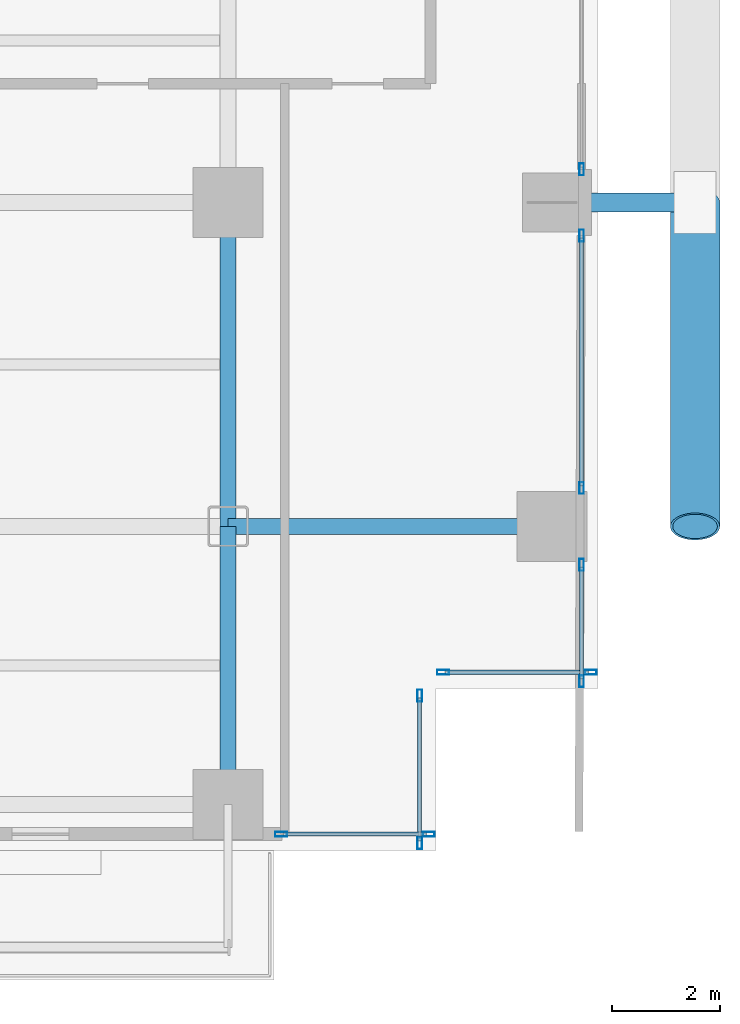
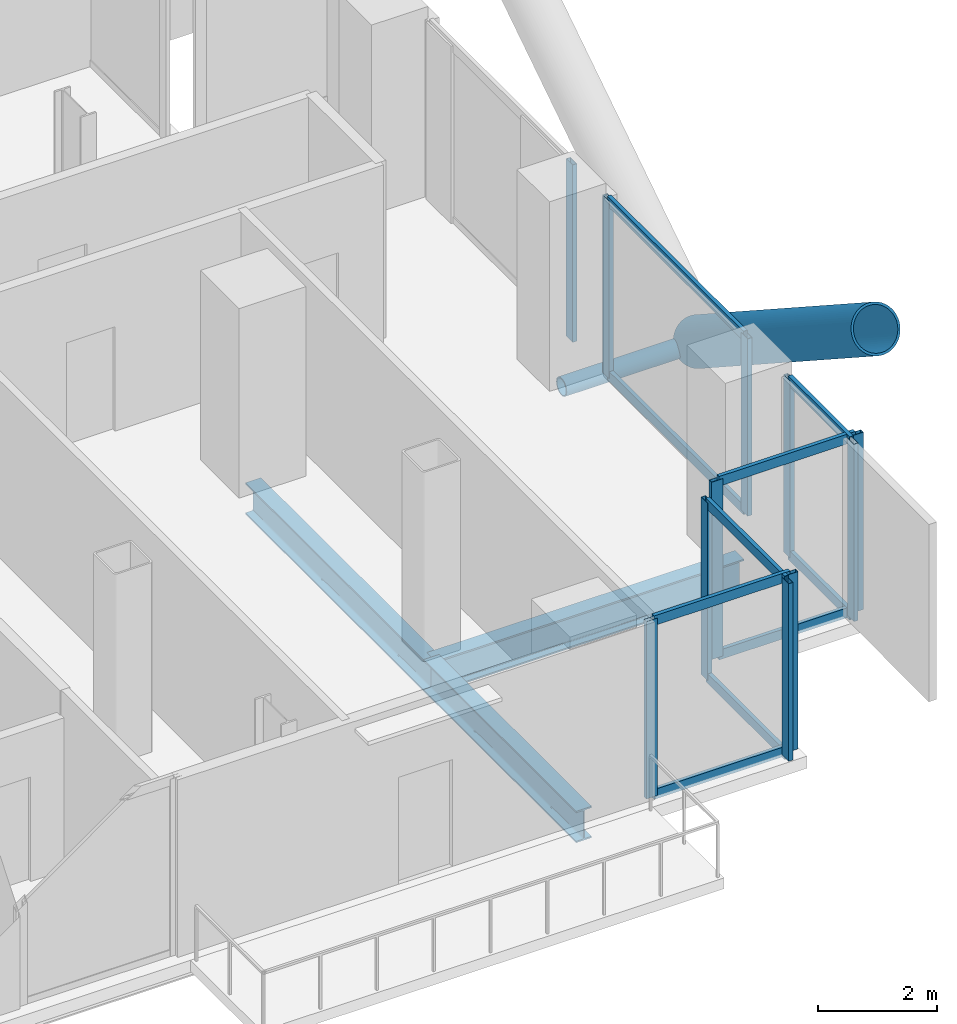
# One storey, part 10 of 27: 23 members, 3 beams, 6 elements without a shape of their own.
"""IFC4 building model written with IfcOpenShell, lengths in metres."""

from ifc_helpers import new_model, si_unit, direction, frame, origin, origin_2d, place, context, subcontext, project, spatial, hollow_rectangle, hollow_circle, i_section, extrude, material, layer, layer_set, material_profile, profile_set, type_object, element, aggregate, save


model = new_model("IFC4")

# Units and contexts
model_context = context("Model", 3, precision=1e-05, world=origin(), true_north=direction((0.0, 1.0)))
body_context = subcontext(model_context, "Body", "Model", "MODEL_VIEW")
ifc_project = project(units=[si_unit("LENGTHUNIT", "METRE"), si_unit("AREAUNIT", "SQUARE_METRE"), si_unit("VOLUMEUNIT", "CUBIC_METRE"), si_unit("PLANEANGLEUNIT", "RADIAN"), si_unit("MASSUNIT", "GRAM", prefix="KILO"), si_unit("THERMODYNAMICTEMPERATUREUNIT", "KELVIN"), si_unit("POWERUNIT", "WATT")], contexts=[model_context])

# Site, building, storey
site_placement = place(None, origin())
site = spatial("IfcSite", under=ifc_project, at=site_placement, CompositionType="ELEMENT")
building_placement = place(site_placement, origin())
building = spatial("IfcBuilding", under=site, at=building_placement, Name="Svarakhadi Broadcast Tower", CompositionType="ELEMENT")
storey_placement = place(building_placement, frame((0.0, 0.0, 59.699951171875)))
storey = spatial("IfcBuildingStorey", under=building, at=storey_placement, Name="L13", CompositionType="ELEMENT", Elevation=59.699951171875)

# Curtain wall, member
ifc_material_1 = material(Name="Anodised Bronze Aluminium AA 6063-T6", Category="aluminium")
ifc_layer = layer(ifc_material_1, 0.219970703125)
ifc_layer_set = layer_set([ifc_layer], Name="Anodised Bronze Aluminium AA 6063-T6")
curtain_wall_type = type_object("IfcCurtainWallType", Name="CW_Sys_02", PredefinedType="NOTDEFINED", material=ifc_layer_set)
curtain_wall_1_placement = place(storey_placement, origin())
curtain_wall_1 = element("IfcCurtainWall", 1, at=curtain_wall_1_placement, inside=storey, type_object=curtain_wall_type, Name="L13 Unitised Facade Curtain Wall 13 Bay 2", PredefinedType="NOTDEFINED")
ifc_material_profile_1 = material_profile(ifc_material_1, hollow_rectangle(XDim=0.0849609375, YDim=0.219970703125, WallThickness=0.006103515625, at=origin_2d()), Name="ALU MULLION 220x85x6")
ifc_profile_set_1 = profile_set([ifc_material_profile_1], Name="Anodised Bronze Aluminium AA 6063-T6")
member_type_1 = type_object("IfcMemberType", Name="CW_Sys_02_Mul", PredefinedType="MULLION", material=ifc_profile_set_1)
member_1_placement = place(storey_placement, frame((53.699951171875, 12.612548828125, 0.0), z_axis=(0.0, 0.0, 1.0), x_axis=(1.0, 0.0, 0.0)))
member_1 = element("IfcMember", 2, at=member_1_placement, type_object=member_type_1, Name="CW-02 mullion 2", PredefinedType="MULLION", context=body_context, shape_type="SweptSolid", body=[
    extrude(hollow_rectangle(XDim=0.0849609375, YDim=0.219970703125, WallThickness=0.006103515625, at=origin_2d()), origin(), (0.0, 0.0, 1.0), 3.650146484375),
])
aggregate(curtain_wall_1, [member_1])

# Curtain wall, members
curtain_wall_2_placement = place(storey_placement, origin())
curtain_wall_2 = element("IfcCurtainWall", 3, at=curtain_wall_2_placement, inside=storey, type_object=curtain_wall_type, Name="L13 Unitised Facade Curtain Wall 13 Bay 3", PredefinedType="NOTDEFINED")
member_2_placement = place(storey_placement, frame((53.699951171875, 11.387451171875, 0.0), z_axis=(0.0, 0.0, 1.0), x_axis=(1.0, 0.0, 0.0)))
member_2 = element("IfcMember", 4, at=member_2_placement, type_object=member_type_1, Name="CW-02 mullion 1", PredefinedType="MULLION", context=body_context, shape_type="SweptSolid", body=[
    extrude(hollow_rectangle(XDim=0.0849609375, YDim=0.219970703125, WallThickness=0.006103515625, at=origin_2d()), origin(), (0.0, 0.0, 1.0), 3.650146484375),
])
member_3_placement = place(storey_placement, frame((53.699951171875, 6.71240234375, 0.0), z_axis=(0.0, 0.0, 1.0), x_axis=(1.0, 0.0, 0.0)))
member_3 = element("IfcMember", 5, at=member_3_placement, type_object=member_type_1, Name="CW-02 mullion 2", PredefinedType="MULLION", context=body_context, shape_type="SweptSolid", body=[
    extrude(hollow_rectangle(XDim=0.0849609375, YDim=0.219970703125, WallThickness=0.006103515625, at=origin_2d()), origin(), (0.0, 0.0, 1.0), 3.650146484375),
])

curtain_wall_3_placement = place(storey_placement, origin())
curtain_wall_3 = element("IfcCurtainWall", 6, at=curtain_wall_3_placement, inside=storey, type_object=curtain_wall_type, Name="L13 Unitised Facade Curtain Wall 13 Bay 4", PredefinedType="NOTDEFINED")
member_4_placement = place(storey_placement, frame((53.699951171875, 5.28759765625, 0.0), z_axis=(0.0, 0.0, 1.0), x_axis=(1.0, 0.0, 0.0)))
member_4 = element("IfcMember", 7, at=member_4_placement, type_object=member_type_1, Name="CW-02 mullion 1", PredefinedType="MULLION", context=body_context, shape_type="SweptSolid", body=[
    extrude(hollow_rectangle(XDim=0.0849609375, YDim=0.219970703125, WallThickness=0.006103515625, at=origin_2d()), origin(), (0.0, 0.0, 1.0), 3.650146484375),
])
member_5_placement = place(storey_placement, frame((53.699951171875, 3.132568359375, 0.0), z_axis=(0.0, 0.0, 1.0), x_axis=(1.0, 0.0, 0.0)))
member_5 = element("IfcMember", 8, at=member_5_placement, type_object=member_type_1, Name="CW-02 mullion 2", PredefinedType="MULLION", context=body_context, shape_type="SweptSolid", body=[
    extrude(hollow_rectangle(XDim=0.0849609375, YDim=0.219970703125, WallThickness=0.006103515625, at=origin_2d()), origin(), (0.0, 0.0, 1.0), 3.650146484375),
])

curtain_wall_4_placement = place(storey_placement, origin())
curtain_wall_4 = element("IfcCurtainWall", 9, at=curtain_wall_4_placement, inside=storey, type_object=curtain_wall_type, Name="L13 Unitised Facade Curtain Wall 14", PredefinedType="NOTDEFINED")
member_6_placement = place(storey_placement, frame((53.867431640625, 3.300048828125, 0.0), z_axis=(0.0, 0.0, 1.0), x_axis=(0.0, -1.0, 0.0)))
member_6 = element("IfcMember", 10, at=member_6_placement, type_object=member_type_1, Name="CW-02 mullion 1", PredefinedType="MULLION", context=body_context, shape_type="SweptSolid", body=[
    extrude(hollow_rectangle(XDim=0.0849609375, YDim=0.219970703125, WallThickness=0.006103515625, at=origin_2d()), origin(), (0.0, 0.0, 1.0), 3.650146484375),
])
member_7_placement = place(storey_placement, frame((51.132568359375, 3.300048828125, 0.0), z_axis=(0.0, 0.0, 1.0), x_axis=(0.0, -1.0, 0.0)))
member_7 = element("IfcMember", 11, at=member_7_placement, type_object=member_type_1, Name="CW-02 mullion 2", PredefinedType="MULLION", context=body_context, shape_type="SweptSolid", body=[
    extrude(hollow_rectangle(XDim=0.0849609375, YDim=0.219970703125, WallThickness=0.006103515625, at=origin_2d()), origin(), (0.0, 0.0, 1.0), 3.650146484375),
])

curtain_wall_5_placement = place(storey_placement, origin())
curtain_wall_5 = element("IfcCurtainWall", 12, at=curtain_wall_5_placement, inside=storey, type_object=curtain_wall_type, Name="L13 Unitised Facade Curtain Wall 15", PredefinedType="NOTDEFINED")
member_8_placement = place(storey_placement, frame((50.699951171875, 2.867431640625, 0.0), z_axis=(0.0, 0.0, 1.0), x_axis=(1.0, 0.0, 0.0)))
member_8 = element("IfcMember", 13, at=member_8_placement, type_object=member_type_1, Name="CW-02 mullion 1", PredefinedType="MULLION", context=body_context, shape_type="SweptSolid", body=[
    extrude(hollow_rectangle(XDim=0.0849609375, YDim=0.219970703125, WallThickness=0.006103515625, at=origin_2d()), origin(), (0.0, 0.0, 1.0), 3.650146484375),
])
member_9_placement = place(storey_placement, frame((50.699951171875, 0.132568359375, 0.0), z_axis=(0.0, 0.0, 1.0), x_axis=(1.0, 0.0, 0.0)))
member_9 = element("IfcMember", 14, at=member_9_placement, type_object=member_type_1, Name="CW-02 mullion 2", PredefinedType="MULLION", context=body_context, shape_type="SweptSolid", body=[
    extrude(hollow_rectangle(XDim=0.0849609375, YDim=0.219970703125, WallThickness=0.006103515625, at=origin_2d()), origin(), (0.0, 0.0, 1.0), 3.650146484375),
])

curtain_wall_6_placement = place(storey_placement, origin())
curtain_wall_6 = element("IfcCurtainWall", 15, at=curtain_wall_6_placement, inside=storey, type_object=curtain_wall_type, Name="L13 South Curtain Wall 16", PredefinedType="NOTDEFINED")
member_10_placement = place(storey_placement, frame((50.867431640625, 0.300048828125, 0.0), z_axis=(0.0, 0.0, 1.0), x_axis=(0.0, -1.0, 0.0)))
member_10 = element("IfcMember", 16, at=member_10_placement, type_object=member_type_1, Name="CW-02 mullion 1", PredefinedType="MULLION", context=body_context, shape_type="SweptSolid", body=[
    extrude(hollow_rectangle(XDim=0.0849609375, YDim=0.219970703125, WallThickness=0.006103515625, at=origin_2d()), origin(), (0.0, 0.0, 1.0), 3.650146484375),
])
member_11_placement = place(storey_placement, frame((48.132568359375, 0.300048828125, 0.0), z_axis=(0.0, 0.0, 1.0), x_axis=(0.0, -1.0, 0.0)))
member_11 = element("IfcMember", 17, at=member_11_placement, type_object=member_type_1, Name="CW-02 mullion 2", PredefinedType="MULLION", context=body_context, shape_type="SweptSolid", body=[
    extrude(hollow_rectangle(XDim=0.0849609375, YDim=0.219970703125, WallThickness=0.006103515625, at=origin_2d()), origin(), (0.0, 0.0, 1.0), 3.650146484375),
])

# Member
ifc_material_profile_2 = material_profile(ifc_material_1, hollow_rectangle(XDim=0.074951171875, YDim=0.199951171875, WallThickness=0.0048828125, at=origin_2d()), Name="ALU TRANSOM 200x75x5")
ifc_profile_set_2 = profile_set([ifc_material_profile_2], Name="Anodised Bronze Aluminium AA 6063-T6")
member_type_2 = type_object("IfcMemberType", Name="CW_Sys_02_Trn", PredefinedType="USERDEFINED", material=ifc_profile_set_2)
member_12_placement = place(storey_placement, frame((53.699951171875, 11.344970703125, 0.03759765625), z_axis=(0.0, -1.0, 0.0), x_axis=(1.0, 0.0, 0.0)))
member_12 = element("IfcMember", 18, at=member_12_placement, type_object=member_type_2, Name="CW-02 transom 1.1", ObjectType="TRANSOM", PredefinedType="USERDEFINED", context=body_context, shape_type="SweptSolid", body=[
    extrude(hollow_rectangle(XDim=0.074951171875, YDim=0.199951171875, WallThickness=0.0048828125, at=origin_2d()), origin(), (0.0, 0.0, 1.0), 4.590087890625),
])

member_13_placement = place(storey_placement, frame((53.699951171875, 11.344970703125, 3.612548828125), z_axis=(0.0, -1.0, 0.0), x_axis=(1.0, 0.0, 0.0)))
member_13 = element("IfcMember", 19, at=member_13_placement, type_object=member_type_2, Name="CW-02 transom 1.2", ObjectType="TRANSOM", PredefinedType="USERDEFINED", context=body_context, shape_type="SweptSolid", body=[
    extrude(hollow_rectangle(XDim=0.074951171875, YDim=0.199951171875, WallThickness=0.0048828125, at=origin_2d()), origin(), (0.0, 0.0, 1.0), 4.590087890625),
])

aggregate(curtain_wall_2, [member_2, member_3, member_12, member_13])

member_14_placement = place(storey_placement, frame((53.699951171875, 5.2451171875, 0.03759765625), z_axis=(0.0, -1.0, 0.0), x_axis=(1.0, 0.0, 0.0)))
member_14 = element("IfcMember", 20, at=member_14_placement, type_object=member_type_2, Name="CW-02 transom 1.1", ObjectType="TRANSOM", PredefinedType="USERDEFINED", context=body_context, shape_type="SweptSolid", body=[
    extrude(hollow_rectangle(XDim=0.074951171875, YDim=0.199951171875, WallThickness=0.0048828125, at=origin_2d()), origin(), (0.0, 0.0, 1.0), 2.070068359375),
])

member_15_placement = place(storey_placement, frame((53.699951171875, 5.2451171875, 3.612548828125), z_axis=(0.0, -1.0, 0.0), x_axis=(1.0, 0.0, 0.0)))
member_15 = element("IfcMember", 21, at=member_15_placement, type_object=member_type_2, Name="CW-02 transom 1.2", ObjectType="TRANSOM", PredefinedType="USERDEFINED", context=body_context, shape_type="SweptSolid", body=[
    extrude(hollow_rectangle(XDim=0.074951171875, YDim=0.199951171875, WallThickness=0.0048828125, at=origin_2d()), origin(), (0.0, 0.0, 1.0), 2.070068359375),
])

aggregate(curtain_wall_3, [member_4, member_5, member_14, member_15])

member_16_placement = place(storey_placement, frame((53.824951171875, 3.300048828125, 0.03759765625), z_axis=(-1.0, 0.0, 0.0), x_axis=(0.0, -1.0, 0.0)))
member_16 = element("IfcMember", 22, at=member_16_placement, type_object=member_type_2, Name="CW-02 transom 1.1", ObjectType="TRANSOM", PredefinedType="USERDEFINED", context=body_context, shape_type="SweptSolid", body=[
    extrude(hollow_rectangle(XDim=0.074951171875, YDim=0.199951171875, WallThickness=0.0048828125, at=origin_2d()), origin(), (0.0, 0.0, 1.0), 2.64990234375),
])

member_17_placement = place(storey_placement, frame((53.824951171875, 3.300048828125, 3.612548828125), z_axis=(-1.0, 0.0, 0.0), x_axis=(0.0, -1.0, 0.0)))
member_17 = element("IfcMember", 23, at=member_17_placement, type_object=member_type_2, Name="CW-02 transom 1.2", ObjectType="TRANSOM", PredefinedType="USERDEFINED", context=body_context, shape_type="SweptSolid", body=[
    extrude(hollow_rectangle(XDim=0.074951171875, YDim=0.199951171875, WallThickness=0.0048828125, at=origin_2d()), origin(), (0.0, 0.0, 1.0), 2.64990234375),
])

aggregate(curtain_wall_4, [member_6, member_7, member_16, member_17])

member_18_placement = place(storey_placement, frame((50.699951171875, 2.824951171875, 0.03759765625), z_axis=(0.0, -1.0, 0.0), x_axis=(1.0, 0.0, 0.0)))
member_18 = element("IfcMember", 24, at=member_18_placement, type_object=member_type_2, Name="CW-02 transom 1.1", ObjectType="TRANSOM", PredefinedType="USERDEFINED", context=body_context, shape_type="SweptSolid", body=[
    extrude(hollow_rectangle(XDim=0.074951171875, YDim=0.199951171875, WallThickness=0.0048828125, at=origin_2d()), origin(), (0.0, 0.0, 1.0), 2.64990234375),
])

member_19_placement = place(storey_placement, frame((50.699951171875, 2.824951171875, 3.612548828125), z_axis=(0.0, -1.0, 0.0), x_axis=(1.0, 0.0, 0.0)))
member_19 = element("IfcMember", 25, at=member_19_placement, type_object=member_type_2, Name="CW-02 transom 1.2", ObjectType="TRANSOM", PredefinedType="USERDEFINED", context=body_context, shape_type="SweptSolid", body=[
    extrude(hollow_rectangle(XDim=0.074951171875, YDim=0.199951171875, WallThickness=0.0048828125, at=origin_2d()), origin(), (0.0, 0.0, 1.0), 2.64990234375),
])

aggregate(curtain_wall_5, [member_8, member_9, member_18, member_19])

member_20_placement = place(storey_placement, frame((50.824951171875, 0.300048828125, 0.03759765625), z_axis=(-1.0, 0.0, 0.0), x_axis=(0.0, -1.0, 0.0)))
member_20 = element("IfcMember", 26, at=member_20_placement, type_object=member_type_2, Name="CW-02 transom 1.1", ObjectType="TRANSOM", PredefinedType="USERDEFINED", context=body_context, shape_type="SweptSolid", body=[
    extrude(hollow_rectangle(XDim=0.074951171875, YDim=0.199951171875, WallThickness=0.0048828125, at=origin_2d()), origin(), (0.0, 0.0, 1.0), 2.64990234375),
])

member_21_placement = place(storey_placement, frame((50.824951171875, 0.300048828125, 3.612548828125), z_axis=(-1.0, 0.0, 0.0), x_axis=(0.0, -1.0, 0.0)))
member_21 = element("IfcMember", 27, at=member_21_placement, type_object=member_type_2, Name="CW-02 transom 1.2", ObjectType="TRANSOM", PredefinedType="USERDEFINED", context=body_context, shape_type="SweptSolid", body=[
    extrude(hollow_rectangle(XDim=0.074951171875, YDim=0.199951171875, WallThickness=0.0048828125, at=origin_2d()), origin(), (0.0, 0.0, 1.0), 2.64990234375),
])

aggregate(curtain_wall_6, [member_10, member_11, member_20, member_21])

# Members
ifc_material_2 = material(Name="Steel S460ML (IS 2062 E450BR)", Category="steel")
ifc_material_profile_3 = material_profile(ifc_material_2, hollow_circle(Radius=0.45703125, WallThickness=0.044921875, at=origin_2d()), Name="CHS 914x45")
ifc_profile_set_3 = profile_set([ifc_material_profile_3], Name="Steel S460ML (IS 2062 E450BR)")
member_type_3 = type_object("IfcMemberType", Name="Exo_Brace_CHS914", PredefinedType="BRACE", material=ifc_profile_set_3)
member_22_placement = place(storey_placement, frame((55.800048828125, 12.0, -0.427734375), z_axis=(0.0, -0.838449851971, 0.544978757136), x_axis=(1.0, 0.0, 0.0)))
element("IfcMember", 28, at=member_22_placement, inside=storey, type_object=member_type_3, Name="L13 Exposed Bronze Exoskeleton Diagonal E10", PredefinedType="BRACE", context=body_context, shape_type="SweptSolid", body=[
    extrude(hollow_circle(Radius=0.45703125, WallThickness=0.044921875, at=origin_2d()), origin(), (0.0, 0.0, 1.0), 7.156005859375),
])
ifc_material_profile_4 = material_profile(ifc_material_2, hollow_circle(Radius=0.177734375, WallThickness=0.02001953125, at=origin_2d()), Name="CHS 355.6x20")
ifc_profile_set_4 = profile_set([ifc_material_profile_4], Name="Steel S460ML (IS 2062 E450BR)")
member_type_4 = type_object("IfcMemberType", Name="Exo_Radial_Strut_Z1", PredefinedType="STRUT", material=ifc_profile_set_4)
member_23_placement = place(storey_placement, frame((55.800048828125, 12.0, -0.427734375), z_axis=(-1.0, 0.0, 0.0), x_axis=(0.0, -1.0, 0.0)))
element("IfcMember", 29, at=member_23_placement, inside=storey, type_object=member_type_4, Name="L13 Exoskeleton Radial Tie Strut E06", PredefinedType="STRUT", context=body_context, shape_type="SweptSolid", body=[
    extrude(hollow_circle(Radius=0.177734375, WallThickness=0.02001953125, at=origin_2d()), origin(), (0.0, 0.0, 1.0), 2.650146484375),
])

# Beams
ifc_material_3 = material(Name="Steel S355J2 (IS 2062 E350C)", Category="steel")
ifc_material_profile_5 = material_profile(ifc_material_3, i_section(OverallWidth=0.300048828125, OverallDepth=0.64990234375, WebThickness=0.01611328125, FlangeThickness=0.031005859375, FilletRadius=0.027099609375, at=origin_2d()), Name="WPB 650x300x225")
ifc_profile_set_5 = profile_set([ifc_material_profile_5], Name="Steel S355J2 (IS 2062 E350C)")
beam_type = type_object("IfcBeamType", Name="Girder_WPB650", PredefinedType="USERDEFINED", material=ifc_profile_set_5)
beam_1_placement = place(storey_placement, frame((47.14990234375, 6.0, -0.574951171875), z_axis=(1.0, 0.0, 0.0), x_axis=(0.0, 1.0, 0.0)))
element("IfcBeam", 30, at=beam_1_placement, inside=storey, type_object=beam_type, Name="L13 Primary E-W Girder G018", ObjectType="GIRDER", PredefinedType="USERDEFINED", context=body_context, shape_type="SweptSolid", body=[
    extrude(i_section(OverallWidth=0.300048828125, OverallDepth=0.64990234375, WebThickness=0.01611328125, FlangeThickness=0.031005859375, FilletRadius=0.027099609375, at=origin_2d()), origin(), (0.0, 0.0, 1.0), 6.0),
])
beam_2_placement = place(storey_placement, frame((47.14990234375, 0.85009765625, -0.574951171875), z_axis=(0.0, 1.0, 0.0), x_axis=(-1.0, 0.0, 0.0)))
element("IfcBeam", 31, at=beam_2_placement, inside=storey, type_object=beam_type, Name="L13 Primary N-S Girder G082", ObjectType="GIRDER", PredefinedType="USERDEFINED", context=body_context, shape_type="SweptSolid", body=[
    extrude(i_section(OverallWidth=0.300048828125, OverallDepth=0.64990234375, WebThickness=0.01611328125, FlangeThickness=0.031005859375, FilletRadius=0.027099609375, at=origin_2d()), origin(), (0.0, 0.0, 1.0), 5.14990234375),
])
beam_3_placement = place(storey_placement, frame((47.14990234375, 6.0, -0.574951171875), z_axis=(0.0, 1.0, 0.0), x_axis=(-1.0, 0.0, 0.0)))
element("IfcBeam", 32, at=beam_3_placement, inside=storey, type_object=beam_type, Name="L13 Primary N-S Girder G083", ObjectType="GIRDER", PredefinedType="USERDEFINED", context=body_context, shape_type="SweptSolid", body=[
    extrude(i_section(OverallWidth=0.300048828125, OverallDepth=0.64990234375, WebThickness=0.01611328125, FlangeThickness=0.031005859375, FilletRadius=0.027099609375, at=origin_2d()), origin(), (0.0, 0.0, 1.0), 6.0),
])

save(model, "model.ifc")
